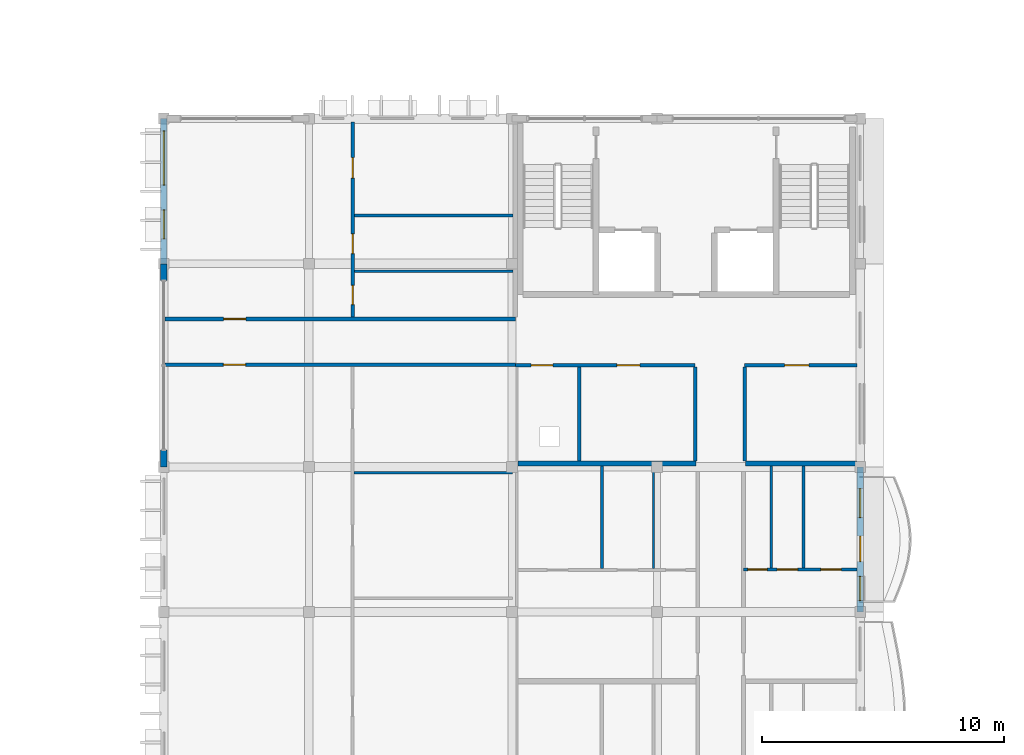
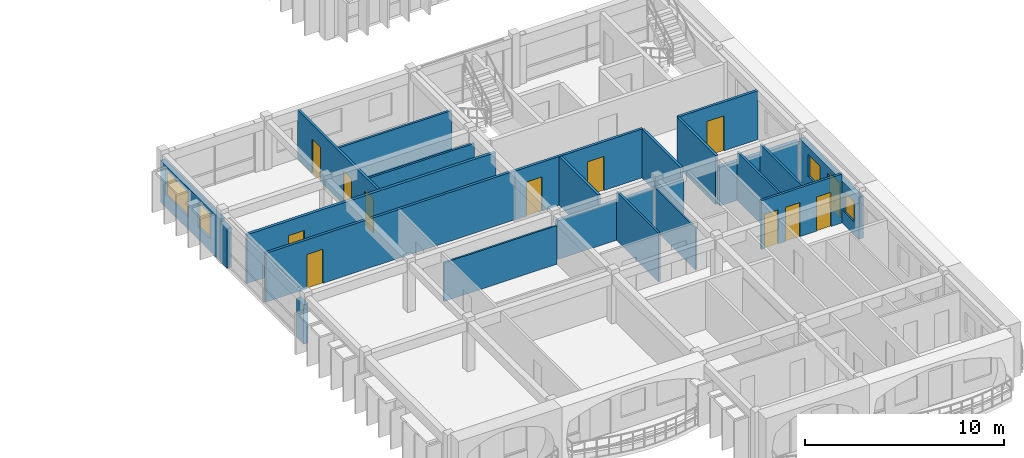
# One storey, part 40 of 68: 22 walls, 12 doors, 4 windows, 16 openings.
"""IFC4 building model written with IfcOpenShell, lengths in metres."""

from ifc_helpers import new_model, si_unit, direction, frame, frame_2d, origin, place, context, subcontext, project, spatial, rectangle, extrude, material, layer, layer_set, type_object, element, fill, save


model = new_model("IFC4")

# Units and contexts
model_context = context("Model", 3, precision=1e-05, world=origin(), true_north=direction((0.0, 1.0)))
body_context = subcontext(model_context, "Body", "Model", "MODEL_VIEW")
ifc_project = project(units=[si_unit("LENGTHUNIT", "METRE"), si_unit("AREAUNIT", "SQUARE_METRE"), si_unit("VOLUMEUNIT", "CUBIC_METRE"), si_unit("PLANEANGLEUNIT", "RADIAN"), si_unit("MASSUNIT", "GRAM", prefix="KILO"), si_unit("THERMODYNAMICTEMPERATUREUNIT", "KELVIN")], contexts=[model_context])

# Site, building, storey
site_placement = place(None, origin())
site = spatial("IfcSite", under=ifc_project, at=site_placement, CompositionType="ELEMENT")
building_placement = place(site_placement, origin())
building = spatial("IfcBuilding", under=site, at=building_placement, Name="Thalorik Housing Commons", CompositionType="ELEMENT")
storey_placement = place(building_placement, frame((0.0, 0.0, 24.60009765625)))
storey = spatial("IfcBuildingStorey", under=building, at=storey_placement, Name="L07", CompositionType="ELEMENT", Elevation=24.60009765625)

# Wall, opening, door
ifc_material_1 = material(Name="Masonry fire-rated corridor wall", Category="masonry")
ifc_layer_1 = layer(ifc_material_1, 0.14990234375, Name="Masonry fire-rated corridor wall", Category="masonry")
ifc_layer_set_1 = layer_set([ifc_layer_1], Name="Masonry fire-rated corridor wall")
wall_type_1 = type_object("IfcWallType", Name="ARC-WAL-CORR-150", PredefinedType="PARTITIONING", material=ifc_layer_set_1)
wall_1_placement = place(storey_placement, frame((138.06005859375, 61.820068359375, 0.0), z_axis=(0.0, 0.0, 1.0), x_axis=(1.0, 0.0, 0.0)))
wall_1 = element("IfcWall", 1, at=wall_1_placement, inside=storey, type_object=wall_type_1, Name="L07 Block D R Corridor Wall 1", PredefinedType="PARTITIONING", context=body_context, shape_type="SweptSolid", body=[
    extrude(rectangle(XDim=14.47998046875, YDim=0.14990234375, at=frame_2d((7.239990234375, 0.0))), origin(), (0.0, 0.0, 1.0), 3.0),
])
opening_1_placement = place(wall_1_placement, frame((2.40869140625, 0.0, 0.0)))
opening_1 = element("IfcOpeningElement", 2, at=opening_1_placement, cuts=wall_1, Name="Opening ID-2146", PredefinedType="OPENING", context=body_context, shape_type="SweptSolid", body=[
    extrude(rectangle(XDim=0.919921875, YDim=2.10009765625, at=frame_2d((0.4599609375, 1.050048828125))), frame((0.0, 0.0849609375, 0.0), z_axis=(0.0, -1.0, 0.0), x_axis=(1.0, 0.0, 0.0)), (0.0, 0.0, 1.0), 0.169921875),
])
ifc_material_2 = material(Name="Solid core hardwood timber", Category="wood")
door_type_1 = type_object("IfcDoorType", Name="ARC-DR-FD30-920", OperationType="NOTDEFINED", PredefinedType="DOOR", material=ifc_material_2)
door_1_placement = place(opening_1_placement, origin())
door_1 = element("IfcDoor", 3, at=door_1_placement, inside=storey, type_object=door_type_1, Name="L07 Flat DR-1A Entrance Door", OperationType="SINGLE_SWING_LEFT", OverallHeight=2.10009765625, OverallWidth=0.919921875, PredefinedType="DOOR", context=body_context, shape_type="SweptSolid", body=[
    extrude(rectangle(XDim=0.919921875, YDim=2.10009765625, at=frame_2d((0.4599609375, 1.050048828125))), frame((0.0, 0.02490234375, 0.0), z_axis=(0.0, -1.0, 0.0), x_axis=(1.0, 0.0, 0.0)), (0.0, 0.0, 1.0), 0.050048828125),
])
fill(opening_1, door_1)

ifc_layer_2 = layer(ifc_material_1, 0.1650390625, Name="Masonry fire-rated corridor wall", Category="masonry")
ifc_layer_set_2 = layer_set([ifc_layer_2], Name="Masonry fire-rated corridor wall")
wall_type_2 = type_object("IfcWallType", Name="ARC-WAL-CORR-165", PredefinedType="PARTITIONING", material=ifc_layer_set_2)
wall_2_placement = place(storey_placement, frame((138.06005859375, 63.719970703125, 0.0), z_axis=(0.0, 0.0, 1.0), x_axis=(1.0, 0.0, 0.0)))
wall_2 = element("IfcWall", 4, at=wall_2_placement, inside=storey, type_object=wall_type_2, Name="L07 Block D R Corridor Wall 2", PredefinedType="PARTITIONING", context=body_context, shape_type="SweptSolid", body=[
    extrude(rectangle(XDim=14.47998046875, YDim=0.1650390625, at=frame_2d((7.239990234375, 0.0))), origin(), (0.0, 0.0, 1.0), 3.0),
])
opening_2_placement = place(wall_2_placement, frame((2.412353515625, 0.0, 0.0)))
opening_2 = element("IfcOpeningElement", 5, at=opening_2_placement, cuts=wall_2, Name="Opening ID-2147", PredefinedType="OPENING", context=body_context, shape_type="SweptSolid", body=[
    extrude(rectangle(XDim=0.919921875, YDim=2.10009765625, at=frame_2d((0.4599609375, 1.050048828125))), frame((0.0, 0.092529296875, 0.0), z_axis=(0.0, -1.0, 0.0), x_axis=(1.0, 0.0, 0.0)), (0.0, 0.0, 1.0), 0.18505859375),
])
door_2_placement = place(opening_2_placement, origin())
door_2 = element("IfcDoor", 6, at=door_2_placement, inside=storey, type_object=door_type_1, Name="L07 Flat DR-1B Entrance Door", OperationType="SINGLE_SWING_RIGHT", OverallHeight=2.10009765625, OverallWidth=0.919921875, PredefinedType="DOOR", context=body_context, shape_type="SweptSolid", body=[
    extrude(rectangle(XDim=0.919921875, YDim=2.10009765625, at=frame_2d((0.4599609375, 1.050048828125))), frame((0.0, 0.02490234375, 0.0), z_axis=(0.0, -1.0, 0.0), x_axis=(1.0, 0.0, 0.0)), (0.0, 0.0, 1.0), 0.050048828125),
])
fill(opening_2, door_2)

# Wall, openings, windows
ifc_material_3 = material(Name="White precast concrete C40/50", Category="concrete")
ifc_layer_3 = layer(ifc_material_3, 0.264892578125, Name="White precast concrete C40/50", Category="concrete")
ifc_layer_set_3 = layer_set([ifc_layer_3], Name="White precast concrete C40/50")
wall_type_3 = type_object("IfcWallType", Name="ARC-WAL-EXT-265", PredefinedType="STANDARD", material=ifc_layer_set_3)
wall_3_placement = place(storey_placement, frame((138.0, 72.0, 0.0), z_axis=(0.0, 0.0, 1.0), x_axis=(0.0, -1.0, 0.0)))
wall_3 = element("IfcWall", 7, at=wall_3_placement, inside=storey, type_object=wall_type_3, Name="L07 Exterior Wall WAL-EXT-L07-D-1245", PredefinedType="STANDARD", context=body_context, shape_type="SweptSolid", body=[
    extrude(rectangle(XDim=6.0, YDim=0.264892578125, at=frame_2d((3.0, 0.0))), origin(), (0.0, 0.0, 1.0), 2.574951171875),
])
opening_3_placement = place(wall_3_placement, frame((0.510009765625, 0.0, 0.780029296875)))
opening_3 = element("IfcOpeningElement", 8, at=opening_3_placement, cuts=wall_3, Name="Opening W-66", PredefinedType="OPENING", context=body_context, shape_type="SweptSolid", body=[
    extrude(rectangle(XDim=2.239990234375, YDim=1.52001953125, at=frame_2d((1.1201171875, 0.760009765625))), frame((0.0, 0.142578125, 0.0), z_axis=(0.0, -1.0, 0.0), x_axis=(1.0, 0.0, 0.0)), (0.0, 0.0, 1.0), 0.284912109375),
])
opening_4_placement = place(wall_3_placement, frame((3.77001953125, 0.0, 0.780029296875)))
opening_4 = element("IfcOpeningElement", 9, at=opening_4_placement, cuts=wall_3, Name="Opening W-05", PredefinedType="OPENING", context=body_context, shape_type="SweptSolid", body=[
    extrude(rectangle(XDim=1.199951171875, YDim=1.5, at=frame_2d((0.60009765625, 0.75))), frame((0.0, 0.142578125, 0.0), z_axis=(0.0, -1.0, 0.0), x_axis=(1.0, 0.0, 0.0)), (0.0, 0.0, 1.0), 0.284912109375),
])
ifc_material_4 = material(Name="Anodised aluminium and solar-control low-E glass", Category="aluminium")
window_type_1 = type_object("IfcWindowType", Name="ARC-WIN-05", PartitioningType="SINGLE_PANEL", PredefinedType="WINDOW", material=ifc_material_4)
window_1_placement = place(opening_4_placement, origin())
window_1 = element("IfcWindow", 10, at=window_1_placement, inside=storey, type_object=window_type_1, Name="L07 Facade Window 2270", OverallHeight=1.5, OverallWidth=1.199951171875, PartitioningType="SINGLE_PANEL", PredefinedType="WINDOW", context=body_context, shape_type="SweptSolid", body=[
    extrude(rectangle(XDim=1.199951171875, YDim=1.5, at=frame_2d((0.60009765625, 0.75))), frame((0.0, 0.030029296875, 0.0), z_axis=(0.0, -1.0, 0.0), x_axis=(1.0, 0.0, 0.0)), (0.0, 0.0, 1.0), 0.06005859375),
])
fill(opening_4, window_1)
window_type_2 = type_object("IfcWindowType", Name="ARC-WIN-66", PartitioningType="DOUBLE_PANEL_VERTICAL", PredefinedType="WINDOW", material=ifc_material_4)
window_2_placement = place(opening_3_placement, origin())
window_2 = element("IfcWindow", 11, at=window_2_placement, inside=storey, type_object=window_type_2, Name="L07 Facade Window 2269", OverallHeight=1.52001953125, OverallWidth=2.239990234375, PartitioningType="DOUBLE_PANEL_VERTICAL", PredefinedType="WINDOW", context=body_context, shape_type="SweptSolid", body=[
    extrude(rectangle(XDim=2.239990234375, YDim=1.52001953125, at=frame_2d((1.1201171875, 0.760009765625))), frame((0.0, 0.030029296875, 0.0), z_axis=(0.0, -1.0, 0.0), x_axis=(1.0, 0.0, 0.0)), (0.0, 0.0, 1.0), 0.06005859375),
])
fill(opening_3, window_2)

# Walls
for number, where, z_axis, x_axis, name in (
    (12, (138.0, 66.0, 0.0), (0.0, 0.0, 1.0), (0.0, -1.0, 0.0), "L07 Exterior Wall WAL-PIERL-L07-D-1246"),
    (13, (138.0, 58.300048828125, 0.0), (0.0, 0.0, 1.0), (0.0, -1.0, 0.0), "L07 Exterior Wall WAL-PIERR-L07-D-1246"),
):
    element("IfcWall", number, at=place(storey_placement, frame(where, z_axis=z_axis, x_axis=x_axis)), inside=storey, type_object=wall_type_3, Name=name, PredefinedType="STANDARD", context=body_context, shape_type="SweptSolid", body=[
        extrude(rectangle(XDim=0.699951171875, YDim=0.264892578125, at=frame_2d((0.35009765625, 0.0))), origin(), (0.0, 0.0, 1.0), 2.4248046875),
    ])

# Wall, openings, door, windows
wall_4_placement = place(storey_placement, frame((166.800048828125, 51.60009765625, 0.0), z_axis=(0.0, 0.0, 1.0), x_axis=(0.0, 1.0, 0.0)))
wall_4 = element("IfcWall", 14, at=wall_4_placement, inside=storey, type_object=wall_type_3, Name="L07 Exterior Wall WAL-EXT-L07-D-1256", PredefinedType="STANDARD", context=body_context, shape_type="SweptSolid", body=[
    extrude(rectangle(XDim=6.0, YDim=0.264892578125, at=frame_2d((3.0, 0.0))), origin(), (0.0, 0.0, 1.0), 2.574951171875),
])
opening_5_placement = place(wall_4_placement, frame((2.084716796875, 0.0, 0.0)))
opening_5 = element("IfcOpeningElement", 15, at=opening_5_placement, cuts=wall_4, Name="Opening ED-0429", PredefinedType="OPENING", context=body_context, shape_type="SweptSolid", body=[
    extrude(rectangle(XDim=1.050048828125, YDim=2.14990234375, at=frame_2d((0.52490234375, 1.074951171875))), frame((0.0, 0.142578125, 0.0), z_axis=(0.0, -1.0, 0.0), x_axis=(1.0, 0.0, 0.0)), (0.0, 0.0, 1.0), 0.284912109375),
])
opening_6_placement = place(wall_4_placement, frame((0.472412109375, 0.0, 0.780029296875)))
opening_6 = element("IfcOpeningElement", 16, at=opening_6_placement, cuts=wall_4, Name="Opening W-02", PredefinedType="OPENING", context=body_context, shape_type="SweptSolid", body=[
    extrude(rectangle(XDim=1.0, YDim=1.25, at=frame_2d((0.5, 0.625))), frame((0.0, 0.142578125, 0.0), z_axis=(0.0, -1.0, 0.0), x_axis=(1.0, 0.0, 0.0)), (0.0, 0.0, 1.0), 0.284912109375),
])
opening_7_placement = place(wall_4_placement, frame((3.8974609375, 0.0, 0.780029296875)))
opening_7 = element("IfcOpeningElement", 17, at=opening_7_placement, cuts=wall_4, Name="Opening W-04", PredefinedType="OPENING", context=body_context, shape_type="SweptSolid", body=[
    extrude(rectangle(XDim=1.199951171875, YDim=1.35009765625, at=frame_2d((0.60009765625, 0.675048828125))), frame((0.0, 0.142578125, 0.0), z_axis=(0.0, -1.0, 0.0), x_axis=(1.0, 0.0, 0.0)), (0.0, 0.0, 1.0), 0.284912109375),
])
ifc_material_5 = material(Name="Anodised aluminium and laminated safety glass", Category="aluminium")
door_type_2 = type_object("IfcDoorType", Name="ARC-DR-BAL-1050", OperationType="NOTDEFINED", PredefinedType="DOOR", material=ifc_material_5)
door_3_placement = place(opening_5_placement, frame((1.050048828125, 0.0, 0.0), z_axis=(0.0, 0.0, 1.0), x_axis=(-1.0, 0.0, 0.0)))
door_3 = element("IfcDoor", 18, at=door_3_placement, inside=storey, type_object=door_type_2, Name="L07 Block D Balcony Glazed Door", OperationType="SINGLE_SWING_RIGHT", OverallHeight=2.14990234375, OverallWidth=1.050048828125, PredefinedType="DOOR", context=body_context, shape_type="SweptSolid", body=[
    extrude(rectangle(XDim=1.050048828125, YDim=2.14990234375, at=frame_2d((0.52490234375, 1.074951171875))), frame((0.0, 0.02490234375, 0.0), z_axis=(0.0, -1.0, 0.0), x_axis=(1.0, 0.0, 0.0)), (0.0, 0.0, 1.0), 0.050048828125),
])
fill(opening_5, door_3)
window_type_3 = type_object("IfcWindowType", Name="ARC-WIN-02", PartitioningType="SINGLE_PANEL", PredefinedType="WINDOW", material=ifc_material_4)
window_3_placement = place(opening_6_placement, origin())
window_3 = element("IfcWindow", 19, at=window_3_placement, inside=storey, type_object=window_type_3, Name="L07 Facade Window 2289", OverallHeight=1.25, OverallWidth=1.0, PartitioningType="SINGLE_PANEL", PredefinedType="WINDOW", context=body_context, shape_type="SweptSolid", body=[
    extrude(rectangle(XDim=1.0, YDim=1.25, at=frame_2d((0.5, 0.625))), frame((0.0, 0.030029296875, 0.0), z_axis=(0.0, -1.0, 0.0), x_axis=(1.0, 0.0, 0.0)), (0.0, 0.0, 1.0), 0.06005859375),
])
fill(opening_6, window_3)
window_type_4 = type_object("IfcWindowType", Name="ARC-WIN-04", PartitioningType="SINGLE_PANEL", PredefinedType="WINDOW", material=ifc_material_4)
window_4_placement = place(opening_7_placement, origin())
window_4 = element("IfcWindow", 20, at=window_4_placement, inside=storey, type_object=window_type_4, Name="L07 Facade Window 2290", OverallHeight=1.35009765625, OverallWidth=1.199951171875, PartitioningType="SINGLE_PANEL", PredefinedType="WINDOW", context=body_context, shape_type="SweptSolid", body=[
    extrude(rectangle(XDim=1.199951171875, YDim=1.35009765625, at=frame_2d((0.60009765625, 0.675048828125))), frame((0.0, 0.030029296875, 0.0), z_axis=(0.0, -1.0, 0.0), x_axis=(1.0, 0.0, 0.0)), (0.0, 0.0, 1.0), 0.06005859375),
])
fill(opening_7, window_4)

# Walls
ifc_material_6 = material(Name="Gypsum light stud partition", Category="masonry")
ifc_layer_4 = layer(ifc_material_6, 0.10009765625, Name="Gypsum light stud partition", Category="masonry")
ifc_layer_set_4 = layer_set([ifc_layer_4], Name="Gypsum light stud partition")
wall_type_4 = type_object("IfcWallType", Name="ARC-WAL-PART-100", PredefinedType="PARTITIONING", material=ifc_layer_set_4)
wall_5_placement = place(storey_placement, frame((158.251220703125, 53.3994140625, 0.0), z_axis=(0.0, 0.0, 1.0), x_axis=(0.0, 1.0, 0.0)))
element("IfcWall", 21, at=wall_5_placement, inside=storey, type_object=wall_type_4, Name="L07 Unit 2 Wet Wall", PredefinedType="PARTITIONING", context=body_context, shape_type="SweptSolid", body=[
    extrude(rectangle(XDim=4.238525390625, YDim=0.10009765625, at=frame_2d((2.119140625, 0.0))), origin(), (0.0, 0.0, 1.0), 2.574951171875),
])
wall_6_placement = place(storey_placement, frame((145.864501953125, 57.365478515625, 0.0), z_axis=(0.0, 0.0, 1.0), x_axis=(1.0, 0.0, 0.0)))
element("IfcWall", 22, at=wall_6_placement, inside=storey, type_object=wall_type_4, Name="L07 Unit 1 Wet Wall", PredefinedType="PARTITIONING", context=body_context, shape_type="SweptSolid", body=[
    extrude(rectangle(XDim=6.5634765625, YDim=0.10009765625, at=frame_2d((3.28173828125, 0.0))), origin(), (0.0, 0.0, 1.0), 2.375),
])
ifc_material_7 = material(Name="Gypsum moisture-resistant partition", Category="masonry")
ifc_layer_5 = layer(ifc_material_7, 0.114990234375, Name="Gypsum moisture-resistant partition", Category="masonry")
ifc_layer_set_5 = layer_set([ifc_layer_5], Name="Gypsum moisture-resistant partition")
wall_type_5 = type_object("IfcWallType", Name="ARC-WAL-PART-115", PredefinedType="PARTITIONING", material=ifc_layer_set_5)
wall_7_placement = place(storey_placement, frame((156.11767578125, 53.3994140625, 0.0), z_axis=(0.0, 0.0, 1.0), x_axis=(0.0, 1.0, 0.0)))
element("IfcWall", 23, at=wall_7_placement, inside=storey, type_object=wall_type_5, Name="L07 Unit 2 Bedroom Partition", PredefinedType="PARTITIONING", context=body_context, shape_type="SweptSolid", body=[
    extrude(rectangle(XDim=4.238525390625, YDim=0.114990234375, at=frame_2d((2.119140625, 0.0))), origin(), (0.0, 0.0, 1.0), 3.0),
])
wall_8_placement = place(storey_placement, frame((163.122314453125, 53.4267578125, 0.0), z_axis=(0.0, 0.0, 1.0), x_axis=(0.0, 1.0, 0.0)))
element("IfcWall", 24, at=wall_8_placement, inside=storey, type_object=wall_type_5, Name="L07 Unit 2B Wet Wall", PredefinedType="PARTITIONING", context=body_context, shape_type="SweptSolid", body=[
    extrude(rectangle(XDim=4.201171875, YDim=0.114990234375, at=frame_2d((2.1005859375, 0.0))), origin(), (0.0, 0.0, 1.0), 3.0),
])
wall_9_placement = place(storey_placement, frame((145.88232421875, 65.69287109375, 0.0), z_axis=(0.0, 0.0, 1.0), x_axis=(1.0, 0.0, 0.0)))
element("IfcWall", 25, at=wall_9_placement, inside=storey, type_object=wall_type_5, Name="L07 Unit 1B Wet Wall", PredefinedType="PARTITIONING", context=body_context, shape_type="SweptSolid", body=[
    extrude(rectangle(XDim=6.563232421875, YDim=0.114990234375, at=frame_2d((3.28173828125, 0.0))), origin(), (0.0, 0.0, 1.0), 2.375),
])
ifc_material_8 = material(Name="Gypsum acoustic stud partition", Category="masonry")
ifc_layer_6 = layer(ifc_material_8, 0.125, Name="Gypsum acoustic stud partition", Category="masonry")
ifc_layer_set_6 = layer_set([ifc_layer_6], Name="Gypsum acoustic stud partition")
wall_type_6 = type_object("IfcWallType", Name="ARC-WAL-PART-125", PredefinedType="PARTITIONING", material=ifc_layer_set_6)
wall_10_placement = place(storey_placement, frame((164.455078125, 53.4267578125, 0.0), z_axis=(0.0, 0.0, 1.0), x_axis=(0.0, 1.0, 0.0)))
element("IfcWall", 26, at=wall_10_placement, inside=storey, type_object=wall_type_6, Name="L07 Unit 2B Bedroom Partition", PredefinedType="PARTITIONING", context=body_context, shape_type="SweptSolid", body=[
    extrude(rectangle(XDim=4.201171875, YDim=0.125, at=frame_2d((2.1005859375, 0.0))), origin(), (0.0, 0.0, 1.0), 3.0),
])
wall_11_placement = place(storey_placement, frame((145.88232421875, 67.994384765625, 0.0), z_axis=(0.0, 0.0, 1.0), x_axis=(1.0, 0.0, 0.0)))
element("IfcWall", 27, at=wall_11_placement, inside=storey, type_object=wall_type_6, Name="L07 Unit 1B Bedroom Partition", PredefinedType="PARTITIONING", context=body_context, shape_type="SweptSolid", body=[
    extrude(rectangle(XDim=6.563232421875, YDim=0.125, at=frame_2d((3.28173828125, 0.0))), origin(), (0.0, 0.0, 1.0), 3.0),
])

# Wall, openings, doors
ifc_material_9 = material(Name="Ceramic masonry partition wall", Category="masonry")
ifc_layer_7 = layer(ifc_material_9, 0.139892578125, Name="Ceramic masonry partition wall", Category="masonry")
ifc_layer_set_7 = layer_set([ifc_layer_7], Name="Ceramic masonry partition wall")
wall_type_7 = type_object("IfcWallType", Name="ARC-WAL-PART-140", PredefinedType="PARTITIONING", material=ifc_layer_set_7)
wall_12_placement = place(storey_placement, frame((161.97998046875, 53.354736328125, 0.0), z_axis=(0.0, 0.0, 1.0), x_axis=(1.0, 0.0, 0.0)))
wall_12 = element("IfcWall", 28, at=wall_12_placement, inside=storey, type_object=wall_type_7, Name="L07 Unit 2B Spine Partition", PredefinedType="PARTITIONING", context=body_context, shape_type="SweptSolid", body=[
    extrude(rectangle(XDim=4.685546875, YDim=0.139892578125, at=frame_2d((2.3427734375, 0.0))), origin(), (0.0, 0.0, 1.0), 3.0),
])
opening_8_placement = place(wall_12_placement, frame((0.171142578125, 0.0, 0.0)))
opening_8 = element("IfcOpeningElement", 29, at=opening_8_placement, cuts=wall_12, Name="Opening ID-2133", PredefinedType="OPENING", context=body_context, shape_type="SweptSolid", body=[
    extrude(rectangle(XDim=0.800048828125, YDim=2.10009765625, at=frame_2d((0.39990234375, 1.050048828125))), frame((0.0, 0.080078125, 0.0), z_axis=(0.0, -1.0, 0.0), x_axis=(1.0, 0.0, 0.0)), (0.0, 0.0, 1.0), 0.159912109375),
])
opening_9_placement = place(wall_12_placement, frame((1.3837890625, 0.0, 0.0)))
opening_9 = element("IfcOpeningElement", 30, at=opening_9_placement, cuts=wall_12, Name="Opening ID-2134", PredefinedType="OPENING", context=body_context, shape_type="SweptSolid", body=[
    extrude(rectangle(XDim=0.85009765625, YDim=2.10009765625, at=frame_2d((0.425048828125, 1.050048828125))), frame((0.0, 0.080078125, 0.0), z_axis=(0.0, -1.0, 0.0), x_axis=(1.0, 0.0, 0.0)), (0.0, 0.0, 1.0), 0.159912109375),
])
opening_10_placement = place(wall_12_placement, frame((3.192626953125, 0.0, 0.0)))
opening_10 = element("IfcOpeningElement", 31, at=opening_10_placement, cuts=wall_12, Name="Opening ID-2135", PredefinedType="OPENING", context=body_context, shape_type="SweptSolid", body=[
    extrude(rectangle(XDim=0.85009765625, YDim=2.10009765625, at=frame_2d((0.425048828125, 1.050048828125))), frame((0.0, 0.080078125, 0.0), z_axis=(0.0, -1.0, 0.0), x_axis=(1.0, 0.0, 0.0)), (0.0, 0.0, 1.0), 0.159912109375),
])
ifc_material_10 = material(Name="Moisture-resistant timber", Category="wood")
door_type_3 = type_object("IfcDoorType", Name="ARC-DR-INT-800", OperationType="NOTDEFINED", PredefinedType="DOOR", material=ifc_material_10)
door_4_placement = place(opening_8_placement, origin())
door_4 = element("IfcDoor", 32, at=door_4_placement, inside=storey, type_object=door_type_3, Name="L07 Flat Bathroom Door", OperationType="SINGLE_SWING_RIGHT", OverallHeight=2.10009765625, OverallWidth=0.800048828125, PredefinedType="DOOR", context=body_context, shape_type="SweptSolid", body=[
    extrude(rectangle(XDim=0.800048828125, YDim=2.10009765625, at=frame_2d((0.39990234375, 1.050048828125))), frame((0.0, 0.02490234375, 0.0), z_axis=(0.0, -1.0, 0.0), x_axis=(1.0, 0.0, 0.0)), (0.0, 0.0, 1.0), 0.050048828125),
])
fill(opening_8, door_4)
ifc_material_11 = material(Name="Engineered oak timber", Category="wood")
door_type_4 = type_object("IfcDoorType", Name="ARC-DR-INT-850", OperationType="NOTDEFINED", PredefinedType="DOOR", material=ifc_material_11)
door_5_placement = place(opening_9_placement, origin())
door_5 = element("IfcDoor", 33, at=door_5_placement, inside=storey, type_object=door_type_4, Name="L07 Galley Kitchen Door", OperationType="SINGLE_SWING_LEFT", OverallHeight=2.10009765625, OverallWidth=0.85009765625, PredefinedType="DOOR", context=body_context, shape_type="SweptSolid", body=[
    extrude(rectangle(XDim=0.85009765625, YDim=2.10009765625, at=frame_2d((0.425048828125, 1.050048828125))), frame((0.0, 0.02490234375, 0.0), z_axis=(0.0, -1.0, 0.0), x_axis=(1.0, 0.0, 0.0)), (0.0, 0.0, 1.0), 0.050048828125),
])
fill(opening_9, door_5)
door_6_placement = place(opening_10_placement, origin())
door_6 = element("IfcDoor", 34, at=door_6_placement, inside=storey, type_object=door_type_4, Name="L07 Double Bedroom Door", OperationType="SINGLE_SWING_RIGHT", OverallHeight=2.10009765625, OverallWidth=0.85009765625, PredefinedType="DOOR", context=body_context, shape_type="SweptSolid", body=[
    extrude(rectangle(XDim=0.85009765625, YDim=2.10009765625, at=frame_2d((0.425048828125, 1.050048828125))), frame((0.0, 0.02490234375, 0.0), z_axis=(0.0, -1.0, 0.0), x_axis=(1.0, 0.0, 0.0)), (0.0, 0.0, 1.0), 0.050048828125),
])
fill(opening_10, door_6)

wall_13_placement = place(storey_placement, frame((145.810302734375, 63.804443359375, 0.0), z_axis=(0.0, 0.0, 1.0), x_axis=(0.0, 1.0, 0.0)))
wall_13 = element("IfcWall", 35, at=wall_13_placement, inside=storey, type_object=wall_type_7, Name="L07 Unit 1B Spine Partition", PredefinedType="PARTITIONING", context=body_context, shape_type="SweptSolid", body=[
    extrude(rectangle(XDim=8.06103515625, YDim=0.139892578125, at=frame_2d((4.030517578125, 0.0))), origin(), (0.0, 0.0, 1.0), 3.0),
])
opening_11_placement = place(wall_13_placement, frame((0.501953125, 0.0, 0.0)))
opening_11 = element("IfcOpeningElement", 36, at=opening_11_placement, cuts=wall_13, Name="Opening ID-2143", PredefinedType="OPENING", context=body_context, shape_type="SweptSolid", body=[
    extrude(rectangle(XDim=0.800048828125, YDim=2.10009765625, at=frame_2d((0.39990234375, 1.050048828125))), frame((0.0, 0.080078125, 0.0), z_axis=(0.0, -1.0, 0.0), x_axis=(1.0, 0.0, 0.0)), (0.0, 0.0, 1.0), 0.159912109375),
])
opening_12_placement = place(wall_13_placement, frame((2.614013671875, 0.0, 0.0)))
opening_12 = element("IfcOpeningElement", 37, at=opening_12_placement, cuts=wall_13, Name="Opening ID-2144", PredefinedType="OPENING", context=body_context, shape_type="SweptSolid", body=[
    extrude(rectangle(XDim=0.820068359375, YDim=2.080078125, at=frame_2d((0.41015625, 1.0400390625))), frame((0.0, 0.080078125, 0.0), z_axis=(0.0, -1.0, 0.0), x_axis=(1.0, 0.0, 0.0)), (0.0, 0.0, 1.0), 0.159912109375),
])
opening_13_placement = place(wall_13_placement, frame((5.73779296875, 0.0, 0.0)))
opening_13 = element("IfcOpeningElement", 38, at=opening_13_placement, cuts=wall_13, Name="Opening ID-2145", PredefinedType="OPENING", context=body_context, shape_type="SweptSolid", body=[
    extrude(rectangle(XDim=0.85009765625, YDim=2.10009765625, at=frame_2d((0.425048828125, 1.050048828125))), frame((0.0, 0.080078125, 0.0), z_axis=(0.0, -1.0, 0.0), x_axis=(1.0, 0.0, 0.0)), (0.0, 0.0, 1.0), 0.159912109375),
])
door_7_placement = place(opening_11_placement, origin())
door_7 = element("IfcDoor", 39, at=door_7_placement, inside=storey, type_object=door_type_3, Name="L07 Flat Bathroom Door", OperationType="SINGLE_SWING_RIGHT", OverallHeight=2.10009765625, OverallWidth=0.800048828125, PredefinedType="DOOR", context=body_context, shape_type="SweptSolid", body=[
    extrude(rectangle(XDim=0.800048828125, YDim=2.10009765625, at=frame_2d((0.39990234375, 1.050048828125))), frame((0.0, 0.02490234375, 0.0), z_axis=(0.0, -1.0, 0.0), x_axis=(1.0, 0.0, 0.0)), (0.0, 0.0, 1.0), 0.050048828125),
])
fill(opening_11, door_7)
door_type_5 = type_object("IfcDoorType", Name="ARC-DR-INT-820", OperationType="NOTDEFINED", PredefinedType="DOOR", material=ifc_material_11)
door_8_placement = place(opening_12_placement, origin())
door_8 = element("IfcDoor", 40, at=door_8_placement, inside=storey, type_object=door_type_5, Name="L07 Eat-In Kitchen Door", OperationType="SINGLE_SWING_LEFT", OverallHeight=2.080078125, OverallWidth=0.820068359375, PredefinedType="DOOR", context=body_context, shape_type="SweptSolid", body=[
    extrude(rectangle(XDim=0.820068359375, YDim=2.080078125, at=frame_2d((0.41015625, 1.0400390625))), frame((0.0, 0.02490234375, 0.0), z_axis=(0.0, -1.0, 0.0), x_axis=(1.0, 0.0, 0.0)), (0.0, 0.0, 1.0), 0.050048828125),
])
fill(opening_12, door_8)
door_9_placement = place(opening_13_placement, origin())
door_9 = element("IfcDoor", 41, at=door_9_placement, inside=storey, type_object=door_type_4, Name="L07 Master Bedroom Door", OperationType="SINGLE_SWING_RIGHT", OverallHeight=2.10009765625, OverallWidth=0.85009765625, PredefinedType="DOOR", context=body_context, shape_type="SweptSolid", body=[
    extrude(rectangle(XDim=0.85009765625, YDim=2.10009765625, at=frame_2d((0.425048828125, 1.050048828125))), frame((0.0, 0.02490234375, 0.0), z_axis=(0.0, -1.0, 0.0), x_axis=(1.0, 0.0, 0.0)), (0.0, 0.0, 1.0), 0.050048828125),
])
fill(opening_13, door_9)

# Walls
ifc_layer_8 = layer(ifc_material_9, 0.14794921875, Name="Ceramic masonry partition wall", Category="masonry")
ifc_layer_set_8 = layer_set([ifc_layer_8], Name="Ceramic masonry partition wall")
wall_type_8 = type_object("IfcWallType", Name="ARC-WAL-PART-150", PredefinedType="PARTITIONING", material=ifc_layer_set_8)
for number, where, z_axis, x_axis, name in (
    (42, (155.175048828125, 61.72412109375, 0.0), (0.0, 0.0, 1.0), (0.0, -1.0, 0.0), "Riser Wall"),
    (43, (159.97509765625, 61.72412109375, 0.0), (0.0, 0.0, 1.0), (0.0, -1.0, 0.0), "Core Stem West Cheek Wall"),
):
    element("IfcWall", number, at=place(storey_placement, frame(where, z_axis=z_axis, x_axis=x_axis)), inside=storey, type_object=wall_type_8, Name=name, PredefinedType="PARTITIONING", context=body_context, shape_type="SweptSolid", body=[
        extrude(rectangle(XDim=3.882080078125, YDim=0.14794921875, at=frame_2d((1.94091796875, 0.0))), origin(), (0.0, 0.0, 1.0), 3.0),
    ])
wall_14_placement = place(storey_placement, frame((162.02490234375, 61.72412109375, 0.0), z_axis=(0.0, 0.0, 1.0), x_axis=(0.0, -1.0, 0.0)))
element("IfcWall", 44, at=wall_14_placement, inside=storey, type_object=wall_type_8, Name="Core Stem East Cheek Wall", PredefinedType="PARTITIONING", context=body_context, shape_type="SweptSolid", body=[
    extrude(rectangle(XDim=3.8720703125, YDim=0.14794921875, at=frame_2d((1.93603515625, 0.0))), origin(), (0.0, 0.0, 1.0), 3.0),
])

# Wall, openings, doors
wall_15_placement = place(storey_placement, frame((152.5400390625, 61.800048828125, 0.0), z_axis=(0.0, 0.0, 1.0), x_axis=(1.0, 0.0, 0.0)))
wall_15 = element("IfcWall", 45, at=wall_15_placement, inside=storey, type_object=wall_type_8, Name="L07 Core D West Corridor Partition", PredefinedType="PARTITIONING", context=body_context, shape_type="SweptSolid", body=[
    extrude(rectangle(XDim=7.43505859375, YDim=0.14794921875, at=frame_2d((3.717529296875, 0.0))), origin(), (0.0, 0.0, 1.0), 3.0),
])
opening_14_placement = place(wall_15_placement, frame((0.64990234375, 0.0, 0.0)))
opening_14 = element("IfcOpeningElement", 46, at=opening_14_placement, cuts=wall_15, Name="Opening ID-0414", PredefinedType="OPENING", context=body_context, shape_type="SweptSolid", body=[
    extrude(rectangle(XDim=0.89990234375, YDim=2.10009765625, at=frame_2d((0.449951171875, 1.050048828125))), frame((0.0, 0.083984375, 0.0), z_axis=(0.0, -1.0, 0.0), x_axis=(1.0, 0.0, 0.0)), (0.0, 0.0, 1.0), 0.16796875),
])
opening_15_placement = place(wall_15_placement, frame((4.199951171875, 0.0, 0.0)))
opening_15 = element("IfcOpeningElement", 47, at=opening_15_placement, cuts=wall_15, Name="Opening ID-0415", PredefinedType="OPENING", context=body_context, shape_type="SweptSolid", body=[
    extrude(rectangle(XDim=0.949951171875, YDim=2.10009765625, at=frame_2d((0.47509765625, 1.050048828125))), frame((0.0, 0.083984375, 0.0), z_axis=(0.0, -1.0, 0.0), x_axis=(1.0, 0.0, 0.0)), (0.0, 0.0, 1.0), 0.16796875),
])
ifc_material_12 = material(Name="Steel S355", Category="steel")
door_type_6 = type_object("IfcDoorType", Name="ARC-DR-FD60-900", OperationType="NOTDEFINED", PredefinedType="DOOR", material=ifc_material_12)
door_10_placement = place(opening_14_placement, origin())
door_10 = element("IfcDoor", 48, at=door_10_placement, inside=storey, type_object=door_type_6, Name="Electrical Riser Door", OperationType="SINGLE_SWING_LEFT", OverallHeight=2.10009765625, OverallWidth=0.89990234375, PredefinedType="DOOR", context=body_context, shape_type="SweptSolid", body=[
    extrude(rectangle(XDim=0.89990234375, YDim=2.10009765625, at=frame_2d((0.449951171875, 1.050048828125))), frame((0.0, 0.02490234375, 0.0), z_axis=(0.0, -1.0, 0.0), x_axis=(1.0, 0.0, 0.0)), (0.0, 0.0, 1.0), 0.050048828125),
])
fill(opening_14, door_10)
door_type_7 = type_object("IfcDoorType", Name="ARC-DR-INT-950", OperationType="NOTDEFINED", PredefinedType="DOOR", material=ifc_material_11)
door_11_placement = place(opening_15_placement, origin())
door_11 = element("IfcDoor", 49, at=door_11_placement, inside=storey, type_object=door_type_7, Name="Accessible Bathroom Door", OperationType="SINGLE_SWING_RIGHT", OverallHeight=2.10009765625, OverallWidth=0.949951171875, PredefinedType="DOOR", context=body_context, shape_type="SweptSolid", body=[
    extrude(rectangle(XDim=0.949951171875, YDim=2.10009765625, at=frame_2d((0.47509765625, 1.050048828125))), frame((0.0, 0.02490234375, 0.0), z_axis=(0.0, -1.0, 0.0), x_axis=(1.0, 0.0, 0.0)), (0.0, 0.0, 1.0), 0.050048828125),
])
fill(opening_15, door_11)

# Wall, opening, door
wall_16_placement = place(storey_placement, frame((162.02490234375, 61.800048828125, 0.0), z_axis=(0.0, 0.0, 1.0), x_axis=(1.0, 0.0, 0.0)))
wall_16 = element("IfcWall", 50, at=wall_16_placement, inside=storey, type_object=wall_type_8, Name="L07 Core D East Corridor Partition", PredefinedType="PARTITIONING", context=body_context, shape_type="SweptSolid", body=[
    extrude(rectangle(XDim=4.635009765625, YDim=0.14794921875, at=frame_2d((2.3173828125, 0.0))), origin(), (0.0, 0.0, 1.0), 3.0),
])
opening_16_placement = place(wall_16_placement, frame((1.64990234375, 0.0, 0.0)))
opening_16 = element("IfcOpeningElement", 51, at=opening_16_placement, cuts=wall_16, Name="Opening ID-0416", PredefinedType="OPENING", context=body_context, shape_type="SweptSolid", body=[
    extrude(rectangle(XDim=1.0, YDim=2.14990234375, at=frame_2d((0.5, 1.074951171875))), frame((0.0, 0.083984375, 0.0), z_axis=(0.0, -1.0, 0.0), x_axis=(1.0, 0.0, 0.0)), (0.0, 0.0, 1.0), 0.16796875),
])
door_type_8 = type_object("IfcDoorType", Name="ARC-DR-FD60-1000", OperationType="NOTDEFINED", PredefinedType="DOOR", material=ifc_material_12)
door_12_placement = place(opening_16_placement, origin())
door_12 = element("IfcDoor", 52, at=door_12_placement, inside=storey, type_object=door_type_8, Name="Core Hub Room Door", OperationType="SINGLE_SWING_LEFT", OverallHeight=2.14990234375, OverallWidth=1.0, PredefinedType="DOOR", context=body_context, shape_type="SweptSolid", body=[
    extrude(rectangle(XDim=1.0, YDim=2.14990234375, at=frame_2d((0.5, 1.074951171875))), frame((0.0, 0.02490234375, 0.0), z_axis=(0.0, -1.0, 0.0), x_axis=(1.0, 0.0, 0.0)), (0.0, 0.0, 1.0), 0.050048828125),
])
fill(opening_16, door_12)

# Walls
ifc_material_13 = material(Name="Precast concrete C40/50 acoustic wall", Category="concrete")
ifc_layer_9 = layer(ifc_material_13, 0.199951171875, Name="Precast concrete C40/50 acoustic wall", Category="concrete")
ifc_layer_set_9 = layer_set([ifc_layer_9], Name="Precast concrete C40/50 acoustic wall")
wall_type_9 = type_object("IfcWallType", Name="ARC-WAL-PARTY-200", PredefinedType="PARTITIONING", material=ifc_layer_set_9)
wall_17_placement = place(storey_placement, frame((152.652099609375, 57.739990234375, 0.0), z_axis=(0.0, 0.0, 1.0), x_axis=(1.0, 0.0, 0.0)))
element("IfcWall", 53, at=wall_17_placement, inside=storey, type_object=wall_type_9, Name="L07 Core End Wall A", PredefinedType="PARTITIONING", context=body_context, shape_type="SweptSolid", body=[
    extrude(rectangle(XDim=7.350830078125, YDim=0.199951171875, at=frame_2d((3.67529296875, 0.0))), origin(), (0.0, 0.0, 1.0), 2.375),
])
ifc_layer_10 = layer(ifc_material_13, 0.219970703125, Name="Precast concrete C40/50 acoustic wall", Category="concrete")
ifc_layer_set_10 = layer_set([ifc_layer_10], Name="Precast concrete C40/50 acoustic wall")
wall_type_10 = type_object("IfcWallType", Name="ARC-WAL-PARTY-220", PredefinedType="PARTITIONING", material=ifc_layer_set_10)
wall_18_placement = place(storey_placement, frame((162.064453125, 57.739990234375, 0.0), z_axis=(0.0, 0.0, 1.0), x_axis=(1.0, 0.0, 0.0)))
element("IfcWall", 54, at=wall_18_placement, inside=storey, type_object=wall_type_10, Name="L07 Core End Wall B", PredefinedType="PARTITIONING", context=body_context, shape_type="SweptSolid", body=[
    extrude(rectangle(XDim=4.60107421875, YDim=0.219970703125, at=frame_2d((2.300537109375, 0.0))), origin(), (0.0, 0.0, 1.0), 2.375),
])

save(model, "model.ifc")
